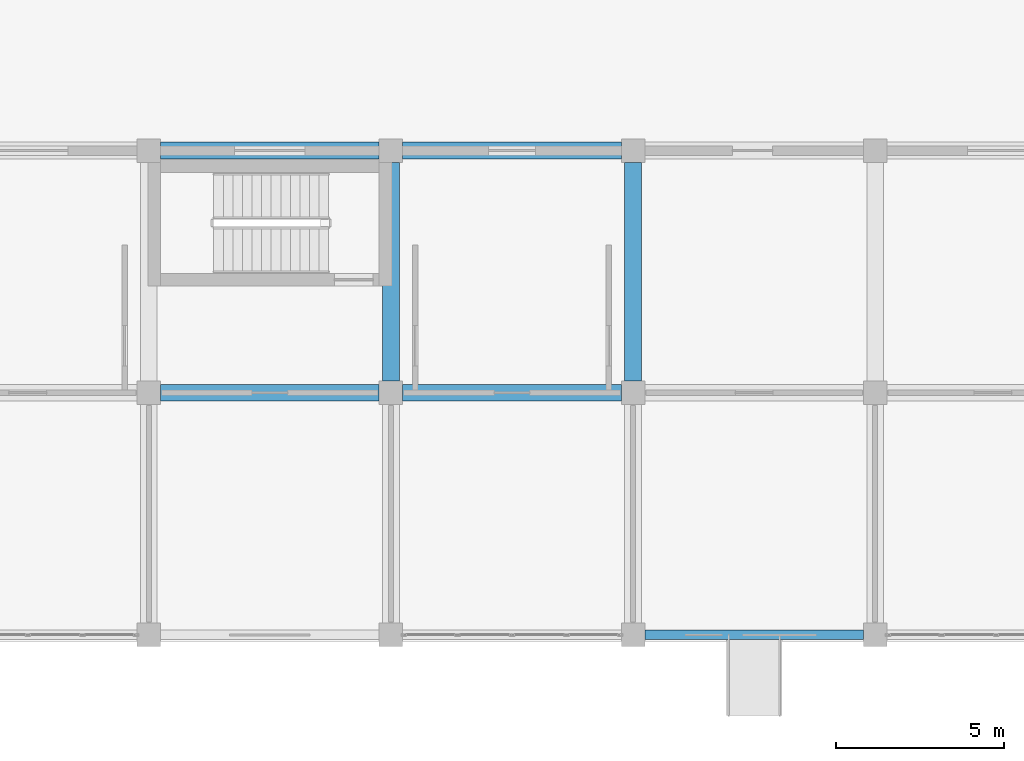
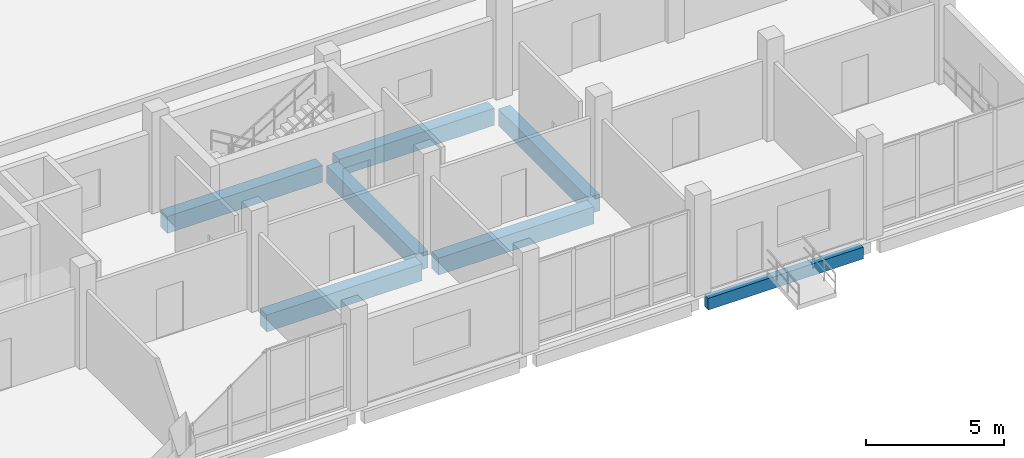
# One storey, part 24 of 139: 7 beams.
"""IFC4 building model written with IfcOpenShell, lengths in metres."""

import ifcopenshell
import ifcopenshell.guid

model = None  # the IFC model being written
_history = None  # IfcOwnerHistory: only IFC2X3 demands one
_inside = {}  # id of a spatial element -> (the spatial element, [elements in it])
_under = {}  # id of a project, library or spatial element -> (it, [spatial elements below it])
_declared = {}  # id of a project -> (the project, [libraries it declares])
_typed = {}  # id of a type object -> (the type object, [elements of that type])
_made_of = {}  # id of a material, layer set ... -> (it, [elements and type objects made of it])


def new_model(schema):
    """Start an empty IFC model of exactly this schema.

    Asked for "IFC4X3", IfcOpenShell would pick the latest addendum, in which some entities
    have other attributes; the version numbers below select the first issue.
    IFC2X3 requires an IfcOwnerHistory on every rooted entity: one is made here for all.
    """
    global model, _history
    if schema == "IFC4X3":
        model = ifcopenshell.file(schema_version=(4, 3, 0, 0))
    else:
        model = ifcopenshell.file(schema=schema)
    _inside.clear()
    _under.clear()
    _declared.clear()
    _typed.clear()
    _made_of.clear()
    _history = None
    if model.schema == "IFC2X3":
        org = make("IfcOrganization", Name="unknown")
        user = make(
            "IfcPersonAndOrganization",
            ThePerson=make("IfcPerson", FamilyName="unknown"),
            TheOrganization=org,
        )
        app = make(
            "IfcApplication",
            ApplicationDeveloper=org,
            Version="unknown",
            ApplicationFullName="unknown",
            ApplicationIdentifier="unknown",
        )
        _history = make(
            "IfcOwnerHistory",
            OwningUser=user,
            OwningApplication=app,
            ChangeAction="ADDED",
            CreationDate=0,
        )
    return model


def make(cls, **values):
    """One entity of the class cls with the attributes given. An attribute that is None is left unset."""
    return model.create_entity(
        cls, **{name: value for name, value in values.items() if value is not None}
    )


def rooted(cls, **values):
    """An entity with a GlobalId (a new one), such as an element, a storey or a relation."""
    return make(cls, GlobalId=ifcopenshell.guid.new(), OwnerHistory=_history, **values)


def si_unit(unit_type, name, prefix=None):
    """IfcSIUnit, for example si_unit("LENGTHUNIT", "METRE", prefix="MILLI")."""
    return make("IfcSIUnit", UnitType=unit_type, Prefix=prefix, Name=name)


def assignment(units):
    """IfcUnitAssignment: the units of a project."""
    return None if units is None else make("IfcUnitAssignment", Units=units)


def point(xyz):
    """IfcCartesianPoint."""
    return None if xyz is None else make("IfcCartesianPoint", Coordinates=xyz)


def direction(xyz):
    """IfcDirection."""
    return None if xyz is None else make("IfcDirection", DirectionRatios=xyz)


def frame(location, z_axis=None, x_axis=None):
    """IfcAxis2Placement3D, a coordinate frame: its origin and axes. An axis left out is left unset."""
    return make(
        "IfcAxis2Placement3D",
        Location=point(location),
        Axis=direction(z_axis),
        RefDirection=direction(x_axis),
    )


def frame_2d(location, x_axis=None):
    """IfcAxis2Placement2D, a coordinate frame in the plane: its origin and x axis."""
    return make(
        "IfcAxis2Placement2D", Location=point(location), RefDirection=direction(x_axis)
    )


def origin():
    """The frame at (0, 0, 0) with its axes left unset."""
    return frame((0.0, 0.0, 0.0))


def origin_2d():
    """The frame at (0, 0) in the plane with its x axis left unset."""
    return frame_2d((0.0, 0.0))


def place(relative_to, where):
    """IfcLocalPlacement: puts the frame where relative to a parent placement (None: the world)."""
    return make(
        "IfcLocalPlacement", PlacementRelTo=relative_to, RelativePlacement=where
    )


def context(
    kind, dimensions, precision=None, world=None, true_north=None, identifier=None
):
    """IfcGeometricRepresentationContext, for example the 3D "Model" context."""
    return make(
        "IfcGeometricRepresentationContext",
        ContextIdentifier=identifier,
        ContextType=kind,
        CoordinateSpaceDimension=dimensions,
        Precision=precision,
        WorldCoordinateSystem=world,
        TrueNorth=true_north,
    )


def subcontext(parent, identifier, kind, view, scale=None):
    """IfcGeometricRepresentationSubContext, for example "Body" below "Model"."""
    return make(
        "IfcGeometricRepresentationSubContext",
        ContextIdentifier=identifier,
        ContextType=kind,
        ParentContext=parent,
        TargetScale=scale,
        TargetView=view,
    )


def project(units=None, contexts=None):
    """IfcProject with its units and contexts."""
    return rooted(
        "IfcProject",
        Name="project",
        RepresentationContexts=contexts,
        UnitsInContext=assignment(units),
    )


def spatial(cls, under=None, at=None, **own):
    """A site, building, storey or space (cls), placed at a placement, below another one or the project."""
    s = rooted(cls, ObjectPlacement=at, **own)
    if under is not None:
        _under.setdefault(under.id(), (under, []))[1].append(s)
    return s


def profile(cls, at=None, kind="AREA", **sizes):
    """A parametric profile (cls). Its sizes go by their IFC names, for example OverallWidth=200.0."""
    return make(cls, ProfileType=kind, Position=at, **sizes)


def rectangle(**sizes):
    """IfcRectangleProfileDef."""
    return profile("IfcRectangleProfileDef", **sizes)


def extrude(swept, where, along, depth):
    """IfcExtrudedAreaSolid: the profile swept, set in the frame where, extruded along a direction by depth."""
    return make(
        "IfcExtrudedAreaSolid",
        SweptArea=swept,
        Position=where,
        ExtrudedDirection=direction(along),
        Depth=depth,
    )


def shape(context_of_items, identifier, shape_type, items):
    """IfcShapeRepresentation: the items that make up one representation, for example the "Body"."""
    return make(
        "IfcShapeRepresentation",
        ContextOfItems=context_of_items,
        RepresentationIdentifier=identifier,
        RepresentationType=shape_type,
        Items=items,
    )


def material(Name=None, Category=None):
    """IfcMaterial."""
    return make("IfcMaterial", Name=Name, Category=Category)


def material_profile(
    of_material, cross_section, Name=None, Category=None, Priority=None
):
    """IfcMaterialProfile: a cross section and its material."""
    return make(
        "IfcMaterialProfile",
        Name=Name,
        Material=of_material,
        Profile=cross_section,
        Priority=Priority,
        Category=Category,
    )


def profile_set(profiles, Name=None, composite=None):
    """IfcMaterialProfileSet."""
    return make(
        "IfcMaterialProfileSet",
        Name=Name,
        MaterialProfiles=profiles,
        CompositeProfile=composite,
    )


def made_of(thing, what):
    """Note that an element or type object is made of a material, layer set ...; save() writes the relation."""
    if what is not None:
        _made_of.setdefault(what.id(), (what, []))[1].append(thing)
    return thing


def type_object(cls, material=None, **own):
    """A type object (cls), such as IfcWallType, which elements share."""
    return made_of(rooted(cls, **own), material)


def element(
    cls,
    number,
    at=None,
    inside=None,
    cuts=None,
    type_object=None,
    material=None,
    context=None,
    identifier="Body",
    shape_type=None,
    held_by="IfcProductDefinitionShape",
    body=None,
    shapes=None,
    **own,
):
    """One element of the class cls, such as IfcWall. Its Tag is "e" and its number.

    at: its placement. inside: the storey or other place that contains it. cuts: it is an
    opening in that element (IfcRelVoidsElement). A single representation is given by context,
    identifier, shape_type and body (its items); several are given by shapes. held_by: the class
    of the entity that holds the representations. save() writes the other relations.
    """
    e = rooted(cls, Tag="e%d" % number, ObjectPlacement=at, **own)
    if body is not None:
        shapes = [shape(context, identifier, shape_type, body)]
    if shapes is not None:
        e.Representation = make(held_by, Representations=shapes)
    if inside is not None:
        _inside.setdefault(inside.id(), (inside, []))[1].append(e)
    if cuts is not None:
        rooted(
            "IfcRelVoidsElement", RelatingBuildingElement=cuts, RelatedOpeningElement=e
        )
    if type_object is not None:
        _typed.setdefault(type_object.id(), (type_object, []))[1].append(e)
    return made_of(e, material)


def aggregate(whole, parts):
    """IfcRelAggregates: a whole, such as a stair, and the parts it consists of."""
    return rooted("IfcRelAggregates", RelatingObject=whole, RelatedObjects=parts)


def save(model, path):
    """Write the relations noted so far, then the file.

    IfcRelAggregates (storeys below a building ...), IfcRelContainedInSpatialStructure (elements
    in a storey), IfcRelDefinesByType, IfcRelAssociatesMaterial and IfcRelDeclares: one each for
    every whole, place, type object, material and project.
    """
    for whole, parts in _under.values():
        aggregate(whole, parts)
    for where, things in _inside.values():
        rooted(
            "IfcRelContainedInSpatialStructure",
            RelatedElements=things,
            RelatingStructure=where,
        )
    for kind, things in _typed.values():
        rooted("IfcRelDefinesByType", RelatedObjects=things, RelatingType=kind)
    for what, things in _made_of.values():
        rooted("IfcRelAssociatesMaterial", RelatedObjects=things, RelatingMaterial=what)
    for by, libraries in _declared.values():
        rooted("IfcRelDeclares", RelatingContext=by, RelatedDefinitions=libraries)
    model.write(path)


model = new_model("IFC4")

# Units and contexts
model_context = context("Model", 3, precision=1e-05, world=origin(), true_north=direction((0.0, 1.0)))
body_context = subcontext(model_context, "Body", "Model", "MODEL_VIEW")
ifc_project = project(units=[si_unit("LENGTHUNIT", "METRE"), si_unit("AREAUNIT", "SQUARE_METRE"), si_unit("VOLUMEUNIT", "CUBIC_METRE"), si_unit("PLANEANGLEUNIT", "RADIAN"), si_unit("MASSUNIT", "GRAM", prefix="KILO")], contexts=[model_context])

# Site, building, storey
site_placement = place(None, origin())
site = spatial("IfcSite", under=ifc_project, at=site_placement, CompositionType="ELEMENT")
building_placement = place(site_placement, origin())
building = spatial("IfcBuilding", under=site, at=building_placement, Name="Suanplinth Sawtooth Commons", CompositionType="ELEMENT")
storey_placement = place(building_placement, origin())
storey = spatial("IfcBuildingStorey", under=building, at=storey_placement, Name="L00", CompositionType="ELEMENT", Elevation=0.0)

# Beams
ifc_material_1 = material(Name="Concrete C40/50", Category="concrete")
ifc_material_profile_1 = material_profile(ifc_material_1, rectangle(XDim=0.5, YDim=0.75, at=origin_2d()), Name="RC-GDR 500x750")
ifc_profile_set_1 = profile_set([ifc_material_profile_1], Name="Concrete C40/50")
beam_type_1 = type_object("IfcBeamType", Name="B-03", PredefinedType="USERDEFINED", material=ifc_profile_set_1)
for number, where, z_axis, x_axis, name in (
    (1, (29.14990234375, 7.199951171875, -0.784912109375), (1.0, 0.0, 0.0), (0.0, 1.0, 0.0), "BMX-L00-D-4-1"),
    (2, (29.14990234375, 14.39990234375, -0.784912109375), (1.0, 0.0, 0.0), (0.0, 1.0, 0.0), "BMX-L00-D-4-2"),
    (3, (36.35009765625, 7.199951171875, -0.784912109375), (1.0, 0.0, 0.0), (0.0, 1.0, 0.0), "BMX-L00-D-5-1"),
    (4, (36.35009765625, 14.39990234375, -0.784912109375), (1.0, 0.0, 0.0), (0.0, 1.0, 0.0), "BMX-L00-D-5-2"),
    (5, (36.0, 7.550048828125, -0.784912109375), (0.0, 1.0, 0.0), (-1.0, 0.0, 0.0), "BMY-L00-D-5-1"),
    (6, (43.199951171875, 7.550048828125, -0.784912109375), (0.0, 1.0, 0.0), (-1.0, 0.0, 0.0), "BMY-L00-D-6-1"),
):
    element("IfcBeam", number, at=place(storey_placement, frame(where, z_axis=z_axis, x_axis=x_axis)), inside=storey, type_object=beam_type_1, Name=name, ObjectType="GIRDER", PredefinedType="USERDEFINED", context=body_context, shape_type="SweptSolid", body=[
        extrude(rectangle(XDim=0.5, YDim=0.75, at=origin_2d()), origin(), (0.0, 0.0, 1.0), 6.5),
    ])
ifc_material_2 = material(Name="Precast concrete C40/50", Category="concrete")
ifc_material_profile_2 = material_profile(ifc_material_2, rectangle(XDim=0.280029296875, YDim=0.52001953125, at=origin_2d()), Name="PC-SP 280x520")
ifc_profile_set_2 = profile_set([ifc_material_profile_2], Name="Precast concrete C40/50")
beam_type_2 = type_object("IfcBeamType", Name="B-08", PredefinedType="SPANDREL", material=ifc_profile_set_2)
beam_placement = place(storey_placement, frame((43.550048828125, 0.0, -0.669921875), z_axis=(1.0, 0.0, 0.0), x_axis=(0.0, 1.0, 0.0)))
element("IfcBeam", 7, at=beam_placement, inside=storey, type_object=beam_type_2, Name="BMX-L00-D-6-0", PredefinedType="SPANDREL", context=body_context, shape_type="SweptSolid", body=[
    extrude(rectangle(XDim=0.280029296875, YDim=0.52001953125, at=origin_2d()), origin(), (0.0, 0.0, 1.0), 6.5),
])

save(model, "model.ifc")
